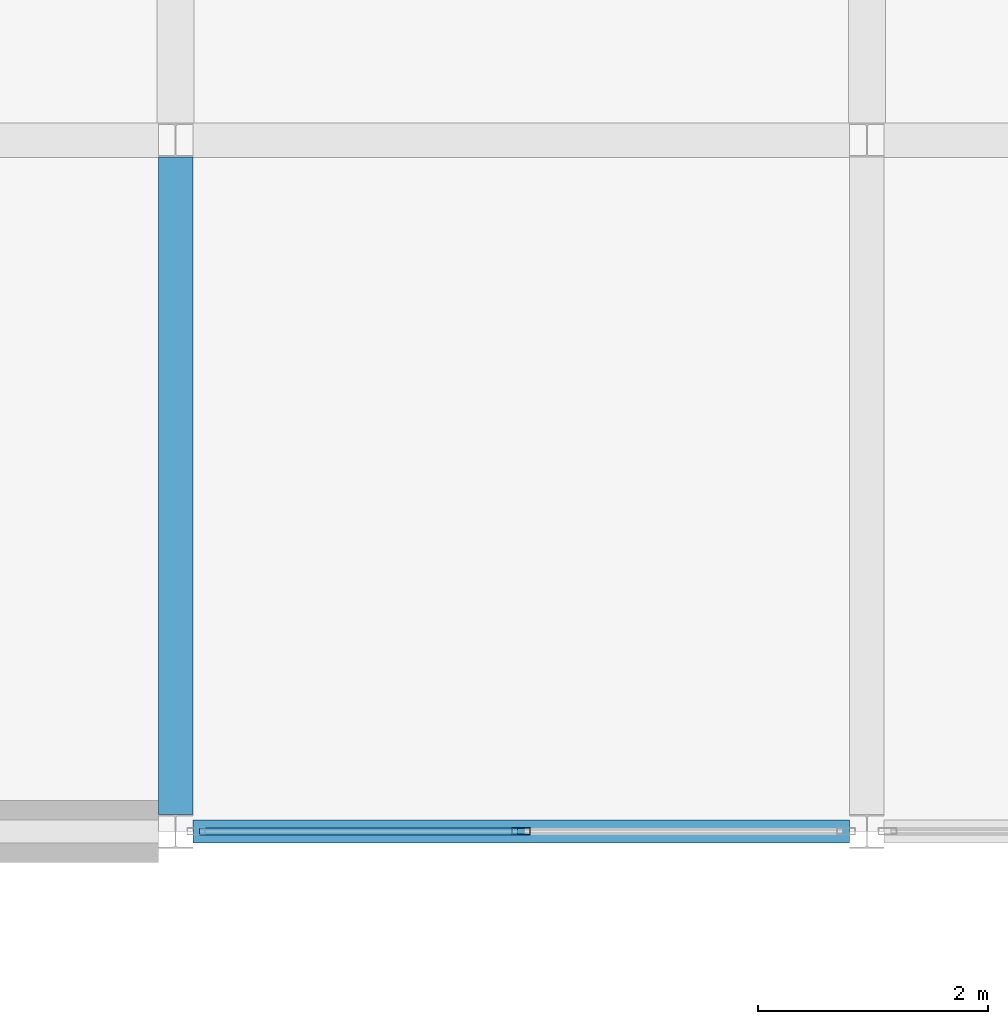
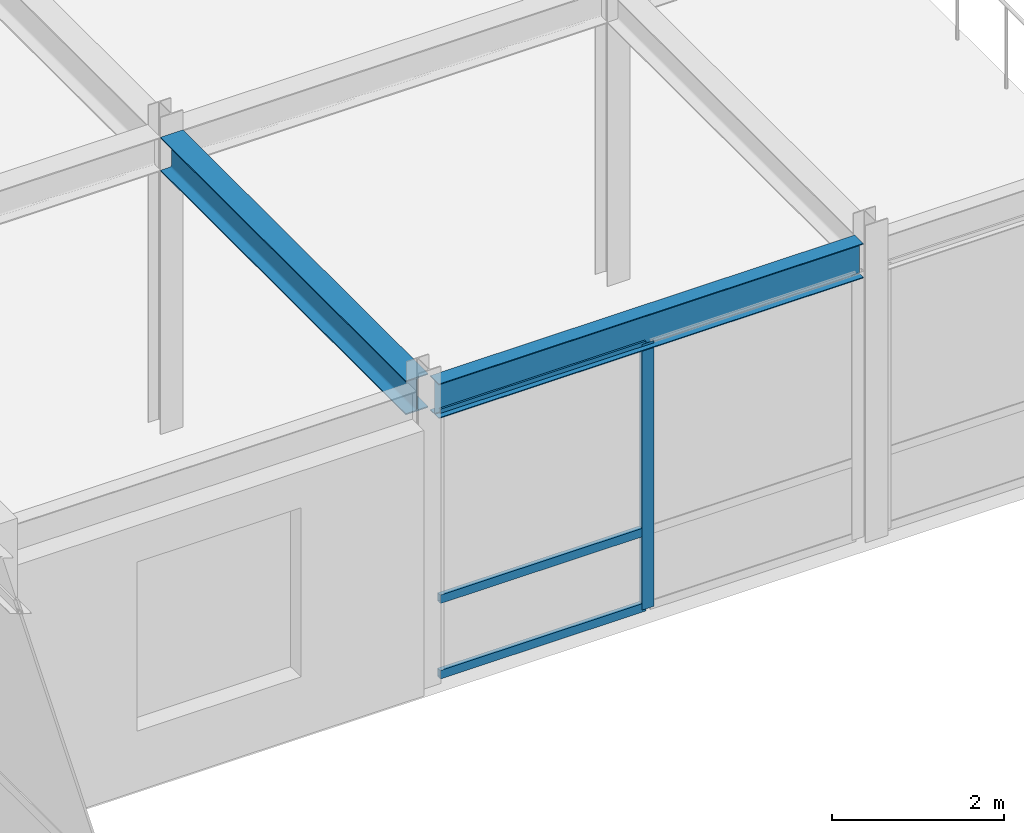
# One storey, part 32 of 108: 4 members, 2 beams, 1 element without a shape of its own.
"""IFC4 building model written with IfcOpenShell, lengths in metres."""

from ifc_helpers import new_model, si_unit, direction, frame, origin, origin_2d, place, context, subcontext, project, spatial, hollow_rectangle, i_section, extrude, material, layer, layer_set, material_profile, profile_set, type_object, element, aggregate, save


model = new_model("IFC4")

# Units and contexts
model_context = context("Model", 3, precision=1e-05, world=origin(), true_north=direction((0.0, 1.0)))
body_context = subcontext(model_context, "Body", "Model", "MODEL_VIEW")
ifc_project = project(units=[si_unit("LENGTHUNIT", "METRE"), si_unit("AREAUNIT", "SQUARE_METRE"), si_unit("VOLUMEUNIT", "CUBIC_METRE"), si_unit("PLANEANGLEUNIT", "RADIAN"), si_unit("MASSUNIT", "GRAM", prefix="KILO")], contexts=[model_context])

# Site, building, storey
site_placement = place(None, origin())
site = spatial("IfcSite", under=ifc_project, at=site_placement, CompositionType="ELEMENT")
building_placement = place(site_placement, origin())
building = spatial("IfcBuilding", under=site, at=building_placement, Name="Zlatovratsky Civic Hall", CompositionType="ELEMENT")
storey_placement = place(building_placement, frame((0.0, 0.0, 12.0)))
storey = spatial("IfcBuildingStorey", under=building, at=storey_placement, Name="L03", CompositionType="ELEMENT", Elevation=12.0)

# Beams
ifc_material_1 = material(Name="Steel S355", Category="steel")
ifc_material_profile_1 = material_profile(ifc_material_1, i_section(OverallWidth=0.300048828125, OverallDepth=0.48193359375, WebThickness=0.010986328125, FlangeThickness=0.014892578125, FilletRadius=0.02392578125, at=origin_2d()), Name="50Sh1")
ifc_profile_set_1 = profile_set([ifc_material_profile_1], Name="Steel S355")
beam_type_1 = type_object("IfcBeamType", Name="Beam_LibraryGirder_50Sh1", PredefinedType="BEAM", material=ifc_profile_set_1)
beam_1_placement = place(storey_placement, frame((60.0, 12.14794921875, 3.97900390625), z_axis=(0.0, 1.0, 0.0), x_axis=(-1.0, 0.0, 0.0)))
element("IfcBeam", 1, at=beam_1_placement, inside=storey, type_object=beam_type_1, Name="BM-2900", PredefinedType="BEAM", context=body_context, shape_type="SweptSolid", body=[
    extrude(i_section(OverallWidth=0.300048828125, OverallDepth=0.48193359375, WebThickness=0.010986328125, FlangeThickness=0.014892578125, FilletRadius=0.02392578125, at=origin_2d()), origin(), (0.0, 0.0, 1.0), 5.7041015625),
])
ifc_material_profile_2 = material_profile(ifc_material_1, i_section(OverallWidth=0.198974609375, OverallDepth=0.491943359375, WebThickness=0.0087890625, FlangeThickness=0.011962890625, FilletRadius=0.01611328125, at=origin_2d()), Name="50B1")
ifc_profile_set_2 = profile_set([ifc_material_profile_2], Name="Steel S355")
beam_type_2 = type_object("IfcBeamType", Name="Beam_Spandrel_50B1", PredefinedType="SPANDREL", material=ifc_profile_set_2)
beam_2_placement = place(storey_placement, frame((60.1494140625, 12.0, 3.97412109375), z_axis=(1.0, 0.0, 0.0), x_axis=(0.0, 1.0, 0.0)))
element("IfcBeam", 2, at=beam_2_placement, inside=storey, type_object=beam_type_2, Name="BM-2488", PredefinedType="SPANDREL", context=body_context, shape_type="SweptSolid", body=[
    extrude(i_section(OverallWidth=0.198974609375, OverallDepth=0.491943359375, WebThickness=0.0087890625, FlangeThickness=0.011962890625, FilletRadius=0.01611328125, at=origin_2d()), origin(), (0.0, 0.0, 1.0), 5.701171875),
])

# Curtain wall, members
ifc_material_2 = material(Name="Anodised bronze aluminium", Category="aluminium")
ifc_layer = layer(ifc_material_2, 0.159912109375)
ifc_layer_set = layer_set([ifc_layer], Name="Anodised bronze aluminium")
curtain_wall_type = type_object("IfcCurtainWallType", Name="CurtainWall_Bronze_5700x3770_08", PredefinedType="NOTDEFINED", material=ifc_layer_set)
curtain_wall_placement = place(storey_placement, origin())
curtain_wall = element("IfcCurtainWall", 3, at=curtain_wall_placement, inside=storey, type_object=curtain_wall_type, Name="CW-047", PredefinedType="NOTDEFINED")
ifc_material_profile_3 = material_profile(ifc_material_2, hollow_rectangle(XDim=0.06005859375, YDim=0.159912109375, WallThickness=0.00390625, at=origin_2d()), Name="ALU 60x160x4")
ifc_profile_set_3 = profile_set([ifc_material_profile_3], Name="Anodised bronze aluminium")
member_type_1 = type_object("IfcMemberType", Name="CW_Mullion_60x160", PredefinedType="MULLION", material=ifc_profile_set_3)
member_1_placement = place(storey_placement, frame((63.0, 12.0, 0.0), z_axis=(0.0, 0.0, 1.0), x_axis=(0.0, 1.0, 0.0)))
member_1 = element("IfcMember", 4, at=member_1_placement, type_object=member_type_1, Name="CW-08 mullion 2", PredefinedType="MULLION", context=body_context, shape_type="SweptSolid", body=[
    extrude(hollow_rectangle(XDim=0.06005859375, YDim=0.159912109375, WallThickness=0.00390625, at=origin_2d()), origin(), (0.0, 0.0, 1.0), 3.77001953125),
])
ifc_material_profile_4 = material_profile(ifc_material_2, hollow_rectangle(XDim=0.06005859375, YDim=0.1201171875, WallThickness=0.00390625, at=origin_2d()), Name="ALU 60x120x4")
ifc_profile_set_4 = profile_set([ifc_material_profile_4], Name="Anodised bronze aluminium")
member_type_2 = type_object("IfcMemberType", Name="CW_Transom_60x120", PredefinedType="USERDEFINED", material=ifc_profile_set_4)
member_2_placement = place(storey_placement, frame((60.20947265625, 12.0, 0.030029296875), z_axis=(1.0, 0.0, 0.0), x_axis=(0.0, 1.0, 0.0)))
member_2 = element("IfcMember", 5, at=member_2_placement, type_object=member_type_2, Name="CW-08 transom 1.1", ObjectType="TRANSOM", PredefinedType="USERDEFINED", context=body_context, shape_type="SweptSolid", body=[
    extrude(hollow_rectangle(XDim=0.06005859375, YDim=0.1201171875, WallThickness=0.00390625, at=origin_2d()), origin(), (0.0, 0.0, 1.0), 2.760498046875),
])
member_3_placement = place(storey_placement, frame((60.20947265625, 12.0, 1.10009765625), z_axis=(1.0, 0.0, 0.0), x_axis=(0.0, 1.0, 0.0)))
member_3 = element("IfcMember", 6, at=member_3_placement, type_object=member_type_2, Name="CW-08 transom 1.2", ObjectType="TRANSOM", PredefinedType="USERDEFINED", context=body_context, shape_type="SweptSolid", body=[
    extrude(hollow_rectangle(XDim=0.06005859375, YDim=0.1201171875, WallThickness=0.00390625, at=origin_2d()), origin(), (0.0, 0.0, 1.0), 2.760498046875),
])
member_4_placement = place(storey_placement, frame((60.20947265625, 12.0, 3.739990234375), z_axis=(1.0, 0.0, 0.0), x_axis=(0.0, 1.0, 0.0)))
member_4 = element("IfcMember", 7, at=member_4_placement, type_object=member_type_2, Name="CW-08 transom 1.3", ObjectType="TRANSOM", PredefinedType="USERDEFINED", context=body_context, shape_type="SweptSolid", body=[
    extrude(hollow_rectangle(XDim=0.06005859375, YDim=0.1201171875, WallThickness=0.00390625, at=origin_2d()), origin(), (0.0, 0.0, 1.0), 2.760498046875),
])
aggregate(curtain_wall, [member_1, member_2, member_3, member_4])

save(model, "model.ifc")
